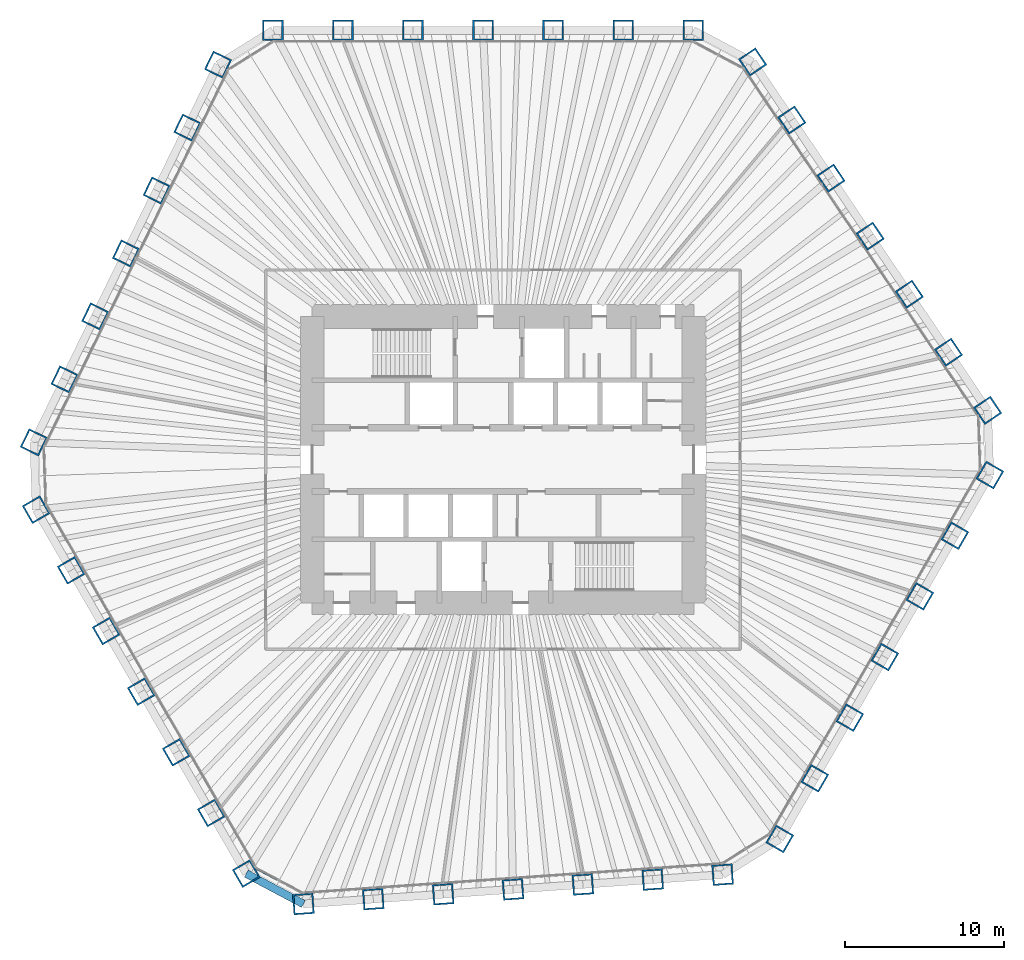
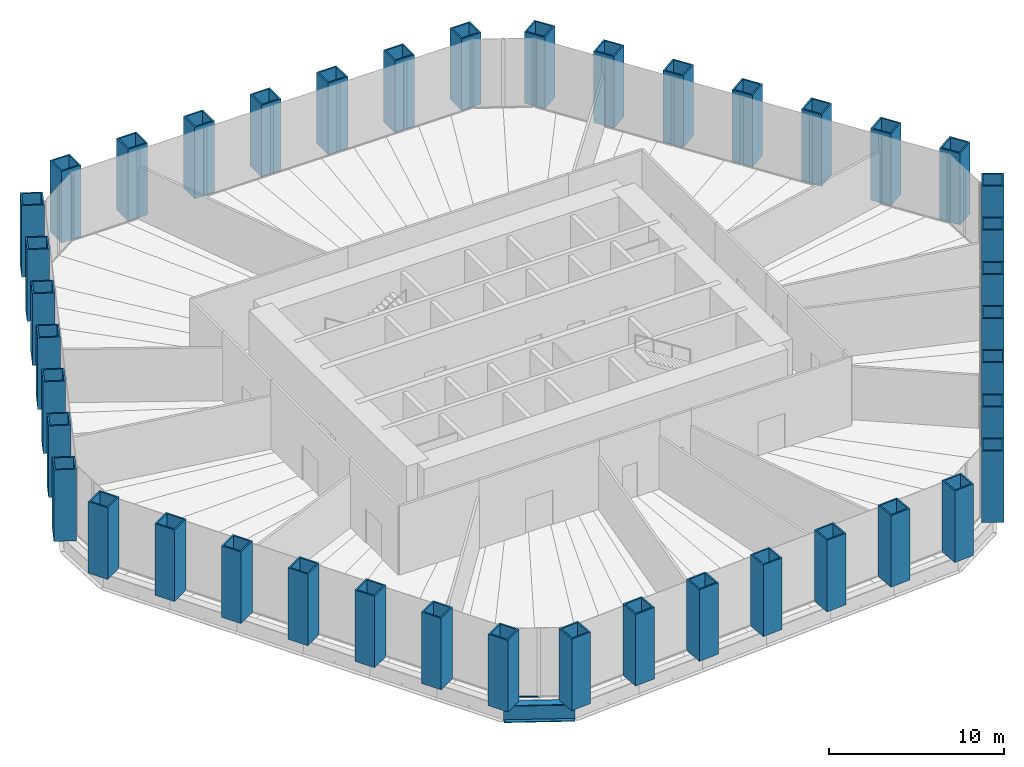
# One storey, part 1 of 13: 42 columns, 1 beam, 1 member, 1 element without a shape of its own.
"""IFC4 building model written with IfcOpenShell, lengths in metres."""

from ifc_helpers import new_model, si_unit, direction, frame, origin, origin_2d, place, context, subcontext, project, spatial, rectangle, hollow_rectangle, i_section, extrude, material, material_profile, profile_set, type_object, element, aggregate, save


model = new_model("IFC4")

# Units and contexts
model_context = context("Model", 3, precision=1e-05, world=origin(), true_north=direction((0.0, 1.0)))
body_context = subcontext(model_context, "Body", "Model", "MODEL_VIEW")
ifc_project = project(units=[si_unit("LENGTHUNIT", "METRE"), si_unit("AREAUNIT", "SQUARE_METRE"), si_unit("VOLUMEUNIT", "CUBIC_METRE"), si_unit("PLANEANGLEUNIT", "RADIAN"), si_unit("MASSUNIT", "GRAM", prefix="KILO")], contexts=[model_context])

# Site, building, storey
site_placement = place(None, origin())
site = spatial("IfcSite", under=ifc_project, at=site_placement, CompositionType="ELEMENT")
building_placement = place(site_placement, origin())
building = spatial("IfcBuilding", under=site, at=building_placement, Name="Qingtian Harvest Tower", CompositionType="ELEMENT")
storey_placement = place(building_placement, frame((0.0, 0.0, 22.0)))
storey = spatial("IfcBuildingStorey", under=building, at=storey_placement, Name="L04", CompositionType="ELEMENT", Elevation=22.0)

# Columns
ifc_material_1 = material(Name="Steel SM570MC", Category="steel")
ifc_material_profile_1 = material_profile(ifc_material_1, hollow_rectangle(XDim=1.300048828125, YDim=1.300048828125, WallThickness=0.10009765625, at=origin_2d()), Name="BOX1300x1300x100")
ifc_profile_set_1 = profile_set([ifc_material_profile_1], Name="Steel SM570MC")
column_type = type_object("IfcColumnType", Name="Tube column TC1 BOX1300x1300x100", PredefinedType="COLUMN", material=ifc_profile_set_1)
for number, where, z_axis, x_axis, name in (
    (1, (-14.471435546875, 27.0, 0.0), (0.0, 0.0, 1.0), (-1.0, 0.0, 0.0), "Tube column TC1 N0"),
    (2, (-10.06689453125, 27.0, 0.0), (0.0, 0.0, 1.0), (-1.0, 0.0, 0.0), "Tube column TC1 N1"),
    (3, (-5.662353515625, 27.0, 0.0), (0.0, 0.0, 1.0), (-1.0, 0.0, 0.0), "Tube column TC1 N2"),
    (4, (-1.257568359375, 27.0, 0.0), (0.0, 0.0, 1.0), (-1.0, 0.0, 0.0), "Tube column TC1 N3"),
    (5, (3.14697265625, 27.0, 0.0), (0.0, 0.0, 1.0), (-1.0, 0.0, 0.0), "Tube column TC1 N4"),
    (6, (7.551513671875, 27.0, 0.0), (0.0, 0.0, 1.0), (-1.0, 0.0, 0.0), "Tube column TC1 N5"),
    (7, (11.9560546875, 27.0, 0.0), (0.0, 0.0, 1.0), (-1.0, 0.0, 0.0), "Tube column TC1 N6"),
    (8, (15.6982421875, 25.01025390625, 0.0), (0.0, 0.0, 1.0), (-0.559192903471, 0.829037572555, 0.0), "Tube column TC1 NE0"),
    (9, (18.1611328125, 21.358642578125, 0.0), (0.0, 0.0, 1.0), (-0.559192903471, 0.829037572555, 0.0), "Tube column TC1 NE1"),
    (10, (20.624267578125, 17.70703125, 0.0), (0.0, 0.0, 1.0), (-0.559192903471, 0.829037572555, 0.0), "Tube column TC1 NE2"),
    (11, (23.08740234375, 14.0556640625, 0.0), (0.0, 0.0, 1.0), (-0.559192903471, 0.829037572555, 0.0), "Tube column TC1 NE3"),
    (12, (25.55029296875, 10.404052734375, 0.0), (0.0, 0.0, 1.0), (-0.559192903471, 0.829037572555, 0.0), "Tube column TC1 NE4"),
    (13, (28.013427734375, 6.75244140625, 0.0), (0.0, 0.0, 1.0), (-0.559192903471, 0.829037572555, 0.0), "Tube column TC1 NE5"),
    (14, (30.476318359375, 3.100830078125, 0.0), (0.0, 0.0, 1.0), (-0.559192903471, 0.829037572555, 0.0), "Tube column TC1 NE6"),
    (15, (30.618408203125, -0.96728515625, 0.0), (0.0, 0.0, 1.0), (0.5, 0.866025403784, 0.0), "Tube column TC1 SE0"),
    (16, (28.416015625, -4.78173828125, 0.0), (0.0, 0.0, 1.0), (0.5, 0.866025403784, 0.0), "Tube column TC1 SE1"),
    (17, (26.2138671875, -8.596435546875, 0.0), (0.0, 0.0, 1.0), (0.5, 0.866025403784, 0.0), "Tube column TC1 SE2"),
    (18, (24.011474609375, -12.410888671875, 0.0), (0.0, 0.0, 1.0), (0.5, 0.866025403784, 0.0), "Tube column TC1 SE3"),
    (19, (21.809326171875, -16.225341796875, 0.0), (0.0, 0.0, 1.0), (0.5, 0.866025403784, 0.0), "Tube column TC1 SE4"),
    (20, (19.60693359375, -20.039794921875, 0.0), (0.0, 0.0, 1.0), (0.5, 0.866025403784, 0.0), "Tube column TC1 SE5"),
    (21, (17.404541015625, -23.854248046875, 0.0), (0.0, 0.0, 1.0), (0.5, 0.866025403784, 0.0), "Tube column TC1 SE6"),
    (22, (13.810546875, -26.10009765625, 0.0), (0.0, 0.0, 1.0), (0.99756405026, 0.069756473744, 0.0), "Tube column TC1 S0"),
    (23, (9.41650390625, -26.407470703125, 0.0), (0.0, 0.0, 1.0), (0.99756405026, 0.069756473744, 0.0), "Tube column TC1 S1"),
    (24, (5.022705078125, -26.714599609375, 0.0), (0.0, 0.0, 1.0), (0.99756405026, 0.069756473744, 0.0), "Tube column TC1 S2"),
    (25, (0.62890625, -27.02197265625, 0.0), (0.0, 0.0, 1.0), (0.99756405026, 0.069756473744, 0.0), "Tube column TC1 S3"),
    (26, (-3.76513671875, -27.3291015625, 0.0), (0.0, 0.0, 1.0), (0.99756405026, 0.069756473744, 0.0), "Tube column TC1 S4"),
    (27, (-8.158935546875, -27.636474609375, 0.0), (0.0, 0.0, 1.0), (0.99756405026, 0.069756473744, 0.0), "Tube column TC1 S5"),
    (28, (-12.552734375, -27.943603515625, 0.0), (0.0, 0.0, 1.0), (0.99756405026, 0.069756473744, 0.0), "Tube column TC1 S6"),
    (29, (-16.14697265625, -26.03271484375, 0.0), (0.0, 0.0, 1.0), (0.5, -0.866025403784, 0.0), "Tube column TC1 SW0"),
    (30, (-18.349365234375, -22.21826171875, 0.0), (0.0, 0.0, 1.0), (0.5, -0.866025403784, 0.0), "Tube column TC1 SW1"),
    (31, (-20.551513671875, -18.403564453125, 0.0), (0.0, 0.0, 1.0), (0.5, -0.866025403784, 0.0), "Tube column TC1 SW2"),
    (32, (-22.75390625, -14.589111328125, 0.0), (0.0, 0.0, 1.0), (0.5, -0.866025403784, 0.0), "Tube column TC1 SW3"),
    (33, (-24.9560546875, -10.774658203125, 0.0), (0.0, 0.0, 1.0), (0.5, -0.866025403784, 0.0), "Tube column TC1 SW4"),
    (34, (-27.158447265625, -6.960205078125, 0.0), (0.0, 0.0, 1.0), (0.5, -0.866025403784, 0.0), "Tube column TC1 SW5"),
    (35, (-29.36083984375, -3.145751953125, 0.0), (0.0, 0.0, 1.0), (0.5, -0.866025403784, 0.0), "Tube column TC1 SW6"),
    (36, (-29.5087890625, 1.08984375, 0.0), (0.0, 0.0, 1.0), (-0.438371146789, -0.898794046299, 0.0), "Tube column TC1 NW0"),
    (37, (-27.577880859375, 5.048828125, 0.0), (0.0, 0.0, 1.0), (-0.438371146789, -0.898794046299, 0.0), "Tube column TC1 NW1"),
    (38, (-25.64697265625, 9.007568359375, 0.0), (0.0, 0.0, 1.0), (-0.438371146789, -0.898794046299, 0.0), "Tube column TC1 NW2"),
    (39, (-23.716064453125, 12.96630859375, 0.0), (0.0, 0.0, 1.0), (-0.438371146789, -0.898794046299, 0.0), "Tube column TC1 NW3"),
    (40, (-21.78515625, 16.92529296875, 0.0), (0.0, 0.0, 1.0), (-0.438371146789, -0.898794046299, 0.0), "Tube column TC1 NW4"),
    (41, (-19.8544921875, 20.884033203125, 0.0), (0.0, 0.0, 1.0), (-0.438371146789, -0.898794046299, 0.0), "Tube column TC1 NW5"),
    (42, (-17.923583984375, 24.8427734375, 0.0), (0.0, 0.0, 1.0), (-0.438371146789, -0.898794046299, 0.0), "Tube column TC1 NW6"),
):
    element("IfcColumn", number, at=place(storey_placement, frame(where, z_axis=z_axis, x_axis=x_axis)), inside=storey, type_object=column_type, Name=name, PredefinedType="COLUMN", context=body_context, shape_type="SweptSolid", body=[
        extrude(hollow_rectangle(XDim=1.300048828125, YDim=1.300048828125, WallThickness=0.10009765625, at=origin_2d()), origin(), (0.0, 0.0, 1.0), 5.0),
    ])

# Beam
ifc_material_2 = material(Name="Steel SM570MC", Category="steel")
ifc_material_profile_2 = material_profile(ifc_material_2, i_section(OverallWidth=0.5, OverallDepth=1.199951171875, WebThickness=0.02490234375, FlangeThickness=0.050048828125, at=origin_2d()), Name="H1200x500x25x50")
ifc_profile_set_2 = profile_set([ifc_material_profile_2], Name="Steel SM570MC")
beam_type = type_object("IfcBeamType", Name="Spandrel beam SB1 H1200x500x25x50", PredefinedType="SPANDREL", material=ifc_profile_set_2)
beam_placement = place(storey_placement, frame((-12.552734375, -27.943603515625, -0.60009765625), z_axis=(-0.882968133669, 0.469432929101, 0.0), x_axis=(-0.469432929101, -0.882968133669, 0.0)))
element("IfcBeam", 43, at=beam_placement, inside=storey, type_object=beam_type, Name="Spandrel SB1 SC", PredefinedType="SPANDREL", context=body_context, shape_type="SweptSolid", body=[
    extrude(i_section(OverallWidth=0.5, OverallDepth=1.199951171875, WebThickness=0.02490234375, FlangeThickness=0.050048828125, at=origin_2d()), origin(), (0.0, 0.0, 1.0), 4.070556640625),
])

# Curtain wall, member
ifc_material_3 = material(Name="Bronze-anodised aluminium curtain wall", Category="aluminium")
curtain_wall_type = type_object("IfcCurtainWallType", Name="Curtain wall CW2 farm reception", PredefinedType="USERDEFINED", material=ifc_material_3)
curtain_wall_placement = place(storey_placement, origin())
curtain_wall = element("IfcCurtainWall", 44, at=curtain_wall_placement, inside=storey, type_object=curtain_wall_type, Name="Curtain wall CW2 L04 SC", ObjectType="RECESSED CURTAIN WALL", PredefinedType="USERDEFINED")
ifc_material_4 = material(Name="Bronze-anodised aluminium transom", Category="aluminium")
ifc_material_profile_3 = material_profile(ifc_material_4, rectangle(XDim=0.14990234375, YDim=0.06494140625, at=origin_2d()), Name="AL 65x150")
ifc_profile_set_3 = profile_set([ifc_material_profile_3], Name="Bronze-anodised aluminium transom")
member_type = type_object("IfcMemberType", Name="Transom CWT 65x150", PredefinedType="USERDEFINED", material=ifc_profile_set_3)
member_placement = place(storey_placement, frame((-14.099853515625, -26.44873046875, 0.032470703125), z_axis=(-0.882960338349, 0.46944759122, 0.0), x_axis=(-0.46944759122, -0.882960338349, 0.0)))
member = element("IfcMember", 45, at=member_placement, type_object=member_type, Name="CW2 transom 2.1", ObjectType="TRANSOM", PredefinedType="USERDEFINED", context=body_context, shape_type="SweptSolid", body=[
    extrude(rectangle(XDim=0.14990234375, YDim=0.06494140625, at=origin_2d()), origin(), (0.0, 0.0, 1.0), 1.56689453125),
])
aggregate(curtain_wall, [member])

save(model, "model.ifc")
